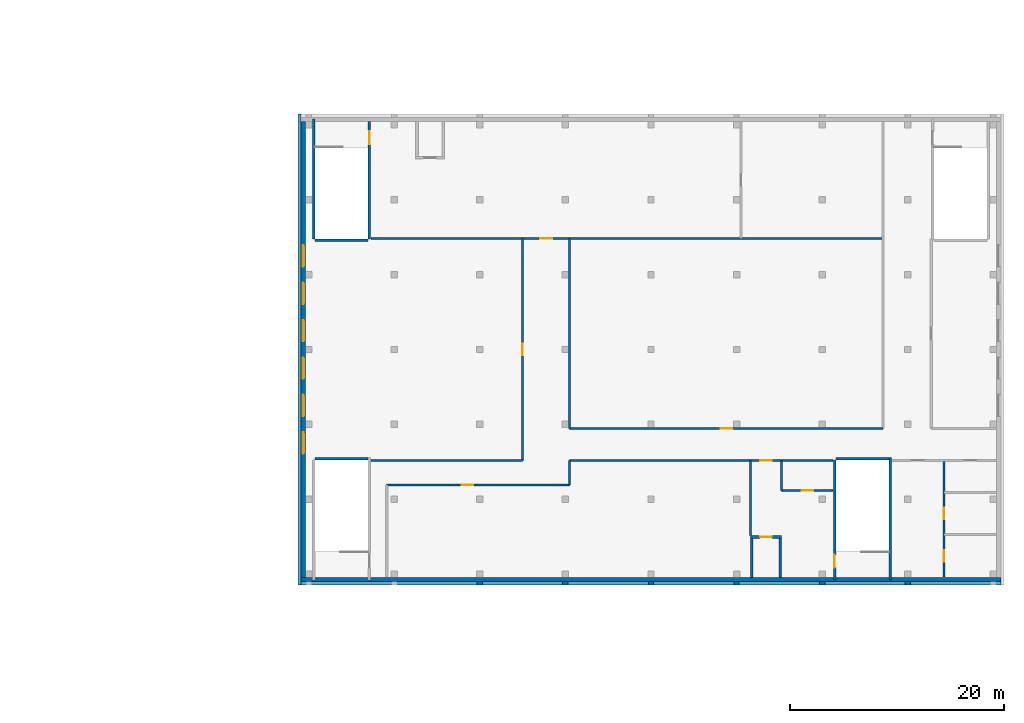
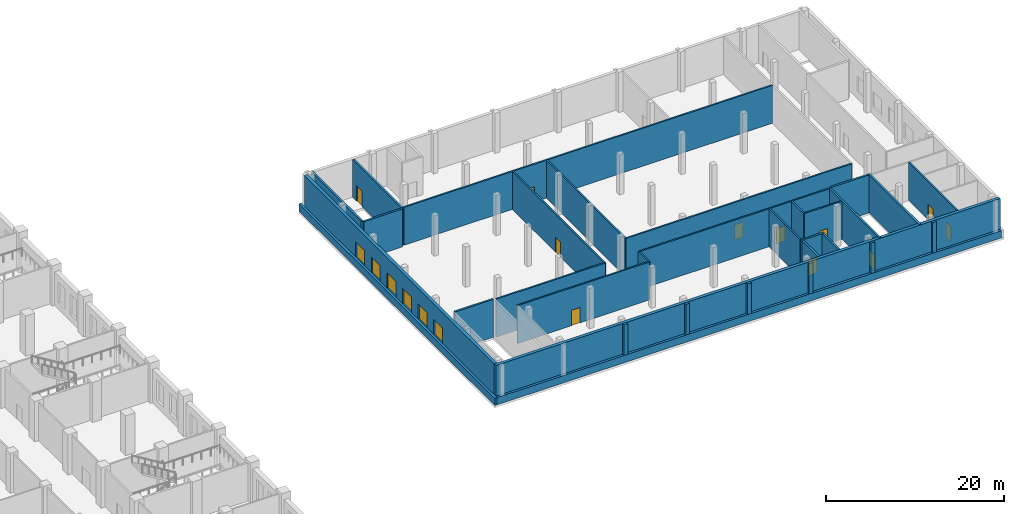
# One storey, part 11 of 25: 32 walls, 11 doors, 6 windows, 17 openings.
"""IFC4 building model written with IfcOpenShell, lengths in metres."""

from ifc_helpers import new_model, si_unit, direction, frame, frame_2d, origin, place, context, subcontext, project, spatial, rectangle, extrude, material, layer, layer_set, type_object, element, fill, save


model = new_model("IFC4")

# Units and contexts
model_context = context("Model", 3, precision=1e-05, world=origin(), true_north=direction((0.0, 1.0)))
body_context = subcontext(model_context, "Body", "Model", "MODEL_VIEW")
ifc_project = project(units=[si_unit("LENGTHUNIT", "METRE"), si_unit("AREAUNIT", "SQUARE_METRE"), si_unit("VOLUMEUNIT", "CUBIC_METRE"), si_unit("PLANEANGLEUNIT", "RADIAN"), si_unit("MASSUNIT", "GRAM", prefix="KILO")], contexts=[model_context])

# Site, building, storey
site_placement = place(None, origin())
site = spatial("IfcSite", under=ifc_project, at=site_placement, CompositionType="ELEMENT")
building_placement = place(site_placement, origin())
building = spatial("IfcBuilding", under=site, at=building_placement, Name="Tamorin Gate", CompositionType="ELEMENT")
storey_placement = place(building_placement, frame((0.0, 0.0, 23.5)))
storey = spatial("IfcBuildingStorey", under=building, at=storey_placement, Name="L04", CompositionType="ELEMENT", Elevation=23.5)

# Wall, opening, door
ifc_material_1 = material(Name="Dense blockwork, plastered", Category="masonry")
ifc_layer_1 = layer(ifc_material_1, 0.199951171875)
ifc_layer_set_1 = layer_set([ifc_layer_1], Name="Blockwork partition 200")
wall_type_1 = type_object("IfcWallType", Name="Blockwork partition 200", PredefinedType="PARTITIONING", material=ifc_layer_set_1)
wall_1_placement = place(storey_placement, frame((153.0, 64.030029296875, 0.0), z_axis=(0.0, 0.0, 1.0), x_axis=(1.0, 0.0, 0.0)))
wall_1 = element("IfcWall", 1, at=wall_1_placement, inside=storey, type_object=wall_type_1, Name="Partition", PredefinedType="PARTITIONING", context=body_context, shape_type="SweptSolid", body=[
    extrude(rectangle(XDim=17.10009765625, YDim=0.199951171875, at=frame_2d((8.550048828125, 0.0))), origin(), (0.0, 0.0, 1.0), 5.199951171875),
])
opening_1_placement = place(wall_1_placement, frame((7.0, 0.0, 0.0)))
opening_1 = element("IfcOpeningElement", 2, at=opening_1_placement, cuts=wall_1, Name="Opening DM94", PredefinedType="OPENING", context=body_context, shape_type="SweptSolid", body=[
    extrude(rectangle(XDim=1.10009765625, YDim=2.10009765625, at=frame_2d((0.550048828125, 1.050048828125))), frame((0.0, 0.10986328125, 0.0), z_axis=(0.0, -1.0, 0.0), x_axis=(1.0, 0.0, 0.0)), (0.0, 0.0, 1.0), 0.219970703125),
])
ifc_material_2 = material(Name="Steel, painted", Category="steel")
door_type_1 = type_object("IfcDoorType", Name="Museum door 1100x2100", OperationType="SINGLE_SWING_LEFT", PredefinedType="DOOR", material=ifc_material_2)
door_1_placement = place(opening_1_placement, origin())
door_1 = element("IfcDoor", 3, at=door_1_placement, inside=storey, type_object=door_type_1, Name="Door Archive vault 1", OperationType="SINGLE_SWING_RIGHT", OverallHeight=2.10009765625, OverallWidth=1.10009765625, PredefinedType="DOOR", context=body_context, shape_type="SweptSolid", body=[
    extrude(rectangle(XDim=1.10009765625, YDim=2.10009765625, at=frame_2d((0.550048828125, 1.050048828125))), frame((0.0, 0.02490234375, 0.0), z_axis=(0.0, -1.0, 0.0), x_axis=(1.0, 0.0, 0.0)), (0.0, 0.0, 1.0), 0.050048828125),
])
fill(opening_1, door_1)

# Wall
wall_2_placement = place(storey_placement, frame((151.530029296875, 66.330078125, 0.0), z_axis=(0.0, 0.0, 1.0), x_axis=(1.0, 0.0, 0.0)))
element("IfcWall", 4, at=wall_2_placement, inside=storey, type_object=wall_type_1, Name="Partition", PredefinedType="PARTITIONING", context=body_context, shape_type="SweptSolid", body=[
    extrude(rectangle(XDim=14.169921875, YDim=0.199951171875, at=frame_2d((7.0849609375, 0.0))), origin(), (0.0, 0.0, 1.0), 5.199951171875),
])

# Wall, opening, door
wall_3_placement = place(storey_placement, frame((170.10009765625, 66.330078125, 0.0), z_axis=(0.0, 0.0, 1.0), x_axis=(1.0, 0.0, 0.0)))
wall_3 = element("IfcWall", 5, at=wall_3_placement, inside=storey, type_object=wall_type_1, Name="Partition", PredefinedType="PARTITIONING", context=body_context, shape_type="SweptSolid", body=[
    extrude(rectangle(XDim=24.619873046875, YDim=0.199951171875, at=frame_2d((12.31005859375, 0.0))), origin(), (0.0, 0.0, 1.0), 5.199951171875),
])
opening_2_placement = place(wall_3_placement, frame((17.800048828125, 0.0, 0.0)))
opening_2 = element("IfcOpeningElement", 6, at=opening_2_placement, cuts=wall_3, Name="Opening DM96", PredefinedType="OPENING", context=body_context, shape_type="SweptSolid", body=[
    extrude(rectangle(XDim=1.10009765625, YDim=2.10009765625, at=frame_2d((0.550048828125, 1.050048828125))), frame((0.0, 0.10986328125, 0.0), z_axis=(0.0, -1.0, 0.0), x_axis=(1.0, 0.0, 0.0)), (0.0, 0.0, 1.0), 0.219970703125),
])
door_2_placement = place(opening_2_placement, origin())
door_2 = element("IfcDoor", 7, at=door_2_placement, inside=storey, type_object=door_type_1, Name="Door Goods lobby", OperationType="SINGLE_SWING_RIGHT", OverallHeight=2.10009765625, OverallWidth=1.10009765625, PredefinedType="DOOR", context=body_context, shape_type="SweptSolid", body=[
    extrude(rectangle(XDim=1.10009765625, YDim=2.10009765625, at=frame_2d((0.550048828125, 1.050048828125))), frame((0.0, 0.02490234375, 0.0), z_axis=(0.0, -1.0, 0.0), x_axis=(1.0, 0.0, 0.0)), (0.0, 0.0, 1.0), 0.050048828125),
])
fill(opening_2, door_2)

wall_4_placement = place(storey_placement, frame((189.89990234375, 63.530029296875, 0.0), z_axis=(0.0, 0.0, 1.0), x_axis=(1.0, 0.0, 0.0)))
wall_4 = element("IfcWall", 8, at=wall_4_placement, inside=storey, type_object=wall_type_1, Name="Partition", PredefinedType="PARTITIONING", context=body_context, shape_type="SweptSolid", body=[
    extrude(rectangle(XDim=4.820068359375, YDim=0.199951171875, at=frame_2d((2.41015625, 0.0))), origin(), (0.0, 0.0, 1.0), 5.199951171875),
])
opening_3_placement = place(wall_4_placement, frame((1.875, 0.0, 0.0)))
opening_3 = element("IfcOpeningElement", 9, at=opening_3_placement, cuts=wall_4, Name="Opening DM95", PredefinedType="OPENING", context=body_context, shape_type="SweptSolid", body=[
    extrude(rectangle(XDim=1.10009765625, YDim=2.10009765625, at=frame_2d((0.550048828125, 1.050048828125))), frame((0.0, 0.10986328125, 0.0), z_axis=(0.0, -1.0, 0.0), x_axis=(1.0, 0.0, 0.0)), (0.0, 0.0, 1.0), 0.219970703125),
])
door_3_placement = place(opening_3_placement, origin())
door_3 = element("IfcDoor", 10, at=door_3_placement, inside=storey, type_object=door_type_1, Name="Door Cleaner's store", OperationType="SINGLE_SWING_LEFT", OverallHeight=2.10009765625, OverallWidth=1.10009765625, PredefinedType="DOOR", context=body_context, shape_type="SweptSolid", body=[
    extrude(rectangle(XDim=1.10009765625, YDim=2.10009765625, at=frame_2d((0.550048828125, 1.050048828125))), frame((0.0, 0.02490234375, 0.0), z_axis=(0.0, -1.0, 0.0), x_axis=(1.0, 0.0, 0.0)), (0.0, 0.0, 1.0), 0.050048828125),
])
fill(opening_3, door_3)

wall_5_placement = place(storey_placement, frame((151.530029296875, 87.070068359375, 0.0), z_axis=(0.0, 0.0, 1.0), x_axis=(1.0, 0.0, 0.0)))
wall_5 = element("IfcWall", 11, at=wall_5_placement, inside=storey, type_object=wall_type_1, Name="Partition", PredefinedType="PARTITIONING", context=body_context, shape_type="SweptSolid", body=[
    extrude(rectangle(XDim=47.869873046875, YDim=0.199951171875, at=frame_2d((23.93505859375, 0.0))), origin(), (0.0, 0.0, 1.0), 5.199951171875),
])
opening_4_placement = place(wall_5_placement, frame((15.820068359375, 0.0, 0.0)))
opening_4 = element("IfcOpeningElement", 12, at=opening_4_placement, cuts=wall_5, Name="Opening DM104", PredefinedType="OPENING", context=body_context, shape_type="SweptSolid", body=[
    extrude(rectangle(XDim=1.10009765625, YDim=2.10009765625, at=frame_2d((0.550048828125, 1.050048828125))), frame((0.0, 0.10986328125, 0.0), z_axis=(0.0, -1.0, 0.0), x_axis=(1.0, 0.0, 0.0)), (0.0, 0.0, 1.0), 0.219970703125),
])
door_4_placement = place(opening_4_placement, origin())
door_4 = element("IfcDoor", 13, at=door_4_placement, inside=storey, type_object=door_type_1, Name="Door Archive vault 2", OperationType="SINGLE_SWING_RIGHT", OverallHeight=2.10009765625, OverallWidth=1.10009765625, PredefinedType="DOOR", context=body_context, shape_type="SweptSolid", body=[
    extrude(rectangle(XDim=1.10009765625, YDim=2.10009765625, at=frame_2d((0.550048828125, 1.050048828125))), frame((0.0, 0.02490234375, 0.0), z_axis=(0.0, -1.0, 0.0), x_axis=(1.0, 0.0, 0.0)), (0.0, 0.0, 1.0), 0.050048828125),
])
fill(opening_4, door_4)

wall_6_placement = place(storey_placement, frame((170.10009765625, 69.330078125, 0.0), z_axis=(0.0, 0.0, 1.0), x_axis=(1.0, 0.0, 0.0)))
wall_6 = element("IfcWall", 14, at=wall_6_placement, inside=storey, type_object=wall_type_1, Name="Partition", PredefinedType="PARTITIONING", context=body_context, shape_type="SweptSolid", body=[
    extrude(rectangle(XDim=29.2998046875, YDim=0.199951171875, at=frame_2d((14.64990234375, 0.0))), origin(), (0.0, 0.0, 1.0), 5.199951171875),
])
opening_5_placement = place(wall_6_placement, frame((14.10009765625, 0.0, 0.0)))
opening_5 = element("IfcOpeningElement", 15, at=opening_5_placement, cuts=wall_6, Name="Opening DM102", PredefinedType="OPENING", context=body_context, shape_type="SweptSolid", body=[
    extrude(rectangle(XDim=1.10009765625, YDim=2.10009765625, at=frame_2d((0.550048828125, 1.050048828125))), frame((0.0, 0.10986328125, 0.0), z_axis=(0.0, -1.0, 0.0), x_axis=(1.0, 0.0, 0.0)), (0.0, 0.0, 1.0), 0.219970703125),
])
door_5_placement = place(opening_5_placement, origin())
door_5 = element("IfcDoor", 16, at=door_5_placement, inside=storey, type_object=door_type_1, Name="Door Curators' offices", OperationType="SINGLE_SWING_RIGHT", OverallHeight=2.10009765625, OverallWidth=1.10009765625, PredefinedType="DOOR", context=body_context, shape_type="SweptSolid", body=[
    extrude(rectangle(XDim=1.10009765625, YDim=2.10009765625, at=frame_2d((0.550048828125, 1.050048828125))), frame((0.0, 0.02490234375, 0.0), z_axis=(0.0, -1.0, 0.0), x_axis=(1.0, 0.0, 0.0)), (0.0, 0.0, 1.0), 0.050048828125),
])
fill(opening_5, door_5)

# Walls
wall_7_placement = place(storey_placement, frame((187.0, 59.330078125, 0.0), z_axis=(0.0, 0.0, 1.0), x_axis=(0.0, 1.0, 0.0)))
element("IfcWall", 17, at=wall_7_placement, inside=storey, type_object=wall_type_1, Name="Partition", PredefinedType="PARTITIONING", context=body_context, shape_type="SweptSolid", body=[
    extrude(rectangle(XDim=7.0, YDim=0.199951171875, at=frame_2d((3.5, 0.0))), origin(), (0.0, 0.0, 1.0), 5.199951171875),
])
wall_8_placement = place(storey_placement, frame((170.10009765625, 64.030029296875, 0.0), z_axis=(0.0, 0.0, 1.0), x_axis=(0.0, 1.0, 0.0)))
element("IfcWall", 18, at=wall_8_placement, inside=storey, type_object=wall_type_1, Name="Partition", PredefinedType="PARTITIONING", context=body_context, shape_type="SweptSolid", body=[
    extrude(rectangle(XDim=2.300048828125, YDim=0.199951171875, at=frame_2d((1.14990234375, 0.0))), origin(), (0.0, 0.0, 1.0), 5.199951171875),
])
wall_9_placement = place(storey_placement, frame((170.10009765625, 69.330078125, 0.0), z_axis=(0.0, 0.0, 1.0), x_axis=(0.0, 1.0, 0.0)))
element("IfcWall", 19, at=wall_9_placement, inside=storey, type_object=wall_type_1, Name="Partition", PredefinedType="PARTITIONING", context=body_context, shape_type="SweptSolid", body=[
    extrude(rectangle(XDim=17.739990234375, YDim=0.199951171875, at=frame_2d((8.8701171875, 0.0))), origin(), (0.0, 0.0, 1.0), 5.199951171875),
])
wall_10_placement = place(storey_placement, frame((189.89990234375, 63.530029296875, 0.0), z_axis=(0.0, 0.0, 1.0), x_axis=(0.0, 1.0, 0.0)))
element("IfcWall", 20, at=wall_10_placement, inside=storey, type_object=wall_type_1, Name="Partition", PredefinedType="PARTITIONING", context=body_context, shape_type="SweptSolid", body=[
    extrude(rectangle(XDim=2.800048828125, YDim=0.199951171875, at=frame_2d((1.39990234375, 0.0))), origin(), (0.0, 0.0, 1.0), 5.199951171875),
])

# Wall, openings, doors
wall_11_placement = place(storey_placement, frame((205.10009765625, 55.449951171875, 0.0), z_axis=(0.0, 0.0, 1.0), x_axis=(0.0, 1.0, 0.0)))
wall_11 = element("IfcWall", 21, at=wall_11_placement, inside=storey, type_object=wall_type_1, Name="Partition", PredefinedType="PARTITIONING", context=body_context, shape_type="SweptSolid", body=[
    extrude(rectangle(XDim=10.880126953125, YDim=0.199951171875, at=frame_2d((5.43994140625, 0.0))), origin(), (0.0, 0.0, 1.0), 5.199951171875),
])
opening_6_placement = place(wall_11_placement, frame((1.39990234375, 0.0, 0.0)))
opening_6 = element("IfcOpeningElement", 22, at=opening_6_placement, cuts=wall_11, Name="Opening DM99", PredefinedType="OPENING", context=body_context, shape_type="SweptSolid", body=[
    extrude(rectangle(XDim=1.10009765625, YDim=2.10009765625, at=frame_2d((0.550048828125, 1.050048828125))), frame((0.0, 0.10986328125, 0.0), z_axis=(0.0, -1.0, 0.0), x_axis=(1.0, 0.0, 0.0)), (0.0, 0.0, 1.0), 0.219970703125),
])
opening_7_placement = place(wall_11_placement, frame((5.364990234375, 0.0, 0.0)))
opening_7 = element("IfcOpeningElement", 23, at=opening_7_placement, cuts=wall_11, Name="Opening DM100", PredefinedType="OPENING", context=body_context, shape_type="SweptSolid", body=[
    extrude(rectangle(XDim=1.10009765625, YDim=2.10009765625, at=frame_2d((0.550048828125, 1.050048828125))), frame((0.0, 0.10986328125, 0.0), z_axis=(0.0, -1.0, 0.0), x_axis=(1.0, 0.0, 0.0)), (0.0, 0.0, 1.0), 0.219970703125),
])
door_6_placement = place(opening_6_placement, origin())
door_6 = element("IfcDoor", 24, at=door_6_placement, inside=storey, type_object=door_type_1, Name="Door Family changing room", OperationType="SINGLE_SWING_LEFT", OverallHeight=2.10009765625, OverallWidth=1.10009765625, PredefinedType="DOOR", context=body_context, shape_type="SweptSolid", body=[
    extrude(rectangle(XDim=1.10009765625, YDim=2.10009765625, at=frame_2d((0.550048828125, 1.050048828125))), frame((0.0, 0.02490234375, 0.0), z_axis=(0.0, -1.0, 0.0), x_axis=(1.0, 0.0, 0.0)), (0.0, 0.0, 1.0), 0.050048828125),
])
fill(opening_6, door_6)
door_7_placement = place(opening_7_placement, origin())
door_7 = element("IfcDoor", 25, at=door_7_placement, inside=storey, type_object=door_type_1, Name="Door Baby care room", OperationType="SINGLE_SWING_RIGHT", OverallHeight=2.10009765625, OverallWidth=1.10009765625, PredefinedType="DOOR", context=body_context, shape_type="SweptSolid", body=[
    extrude(rectangle(XDim=1.10009765625, YDim=2.10009765625, at=frame_2d((0.550048828125, 1.050048828125))), frame((0.0, 0.02490234375, 0.0), z_axis=(0.0, -1.0, 0.0), x_axis=(1.0, 0.0, 0.0)), (0.0, 0.0, 1.0), 0.050048828125),
])
fill(opening_7, door_7)

# Wall, opening, door
wall_12_placement = place(storey_placement, frame((165.699951171875, 66.330078125, 0.0), z_axis=(0.0, 0.0, 1.0), x_axis=(0.0, 1.0, 0.0)))
wall_12 = element("IfcWall", 26, at=wall_12_placement, inside=storey, type_object=wall_type_1, Name="Partition", PredefinedType="PARTITIONING", context=body_context, shape_type="SweptSolid", body=[
    extrude(rectangle(XDim=20.739990234375, YDim=0.199951171875, at=frame_2d((10.3701171875, 0.0))), origin(), (0.0, 0.0, 1.0), 5.199951171875),
])
opening_8_placement = place(wall_12_placement, frame((9.820068359375, 0.0, 0.0)))
opening_8 = element("IfcOpeningElement", 27, at=opening_8_placement, cuts=wall_12, Name="Opening DM101", PredefinedType="OPENING", context=body_context, shape_type="SweptSolid", body=[
    extrude(rectangle(XDim=1.10009765625, YDim=2.10009765625, at=frame_2d((0.550048828125, 1.050048828125))), frame((0.0, 0.10986328125, 0.0), z_axis=(0.0, -1.0, 0.0), x_axis=(1.0, 0.0, 0.0)), (0.0, 0.0, 1.0), 0.219970703125),
])
door_8_placement = place(opening_8_placement, origin())
door_8 = element("IfcDoor", 28, at=door_8_placement, inside=storey, type_object=door_type_1, Name="Door Conservation studio", OperationType="SINGLE_SWING_LEFT", OverallHeight=2.10009765625, OverallWidth=1.10009765625, PredefinedType="DOOR", context=body_context, shape_type="SweptSolid", body=[
    extrude(rectangle(XDim=1.10009765625, YDim=2.10009765625, at=frame_2d((0.550048828125, 1.050048828125))), frame((0.0, 0.02490234375, 0.0), z_axis=(0.0, -1.0, 0.0), x_axis=(1.0, 0.0, 0.0)), (0.0, 0.0, 1.0), 0.050048828125),
])
fill(opening_8, door_8)

# Wall
ifc_material_3 = material(Name="Concrete C40/50", Category="concrete")
ifc_layer_2 = layer(ifc_material_3, 0.39990234375)
ifc_layer_set_2 = layer_set([ifc_layer_2], Name="Board-marked concrete facade wall 400 C40/50")
wall_type_2 = type_object("IfcWallType", Name="Board-marked concrete facade wall 400 C40/50", PredefinedType="SOLIDWALL", material=ifc_layer_set_2)
wall_13_placement = place(storey_placement, frame((145.0, 55.199951171875, 0.0), z_axis=(0.0, 0.0, 1.0), x_axis=(1.0, 0.0, 0.0)))
element("IfcWall", 29, at=wall_13_placement, inside=storey, type_object=wall_type_2, Name="Facade wall", PredefinedType="SOLIDWALL", context=body_context, shape_type="SweptSolid", body=[
    extrude(rectangle(XDim=65.39990234375, YDim=0.39990234375, at=frame_2d((32.699951171875, 0.0))), origin(), (0.0, 0.0, 1.0), 5.199951171875),
])

# Wall, openings, windows
wall_14_placement = place(storey_placement, frame((145.199951171875, 55.39990234375, 0.0), z_axis=(0.0, 0.0, 1.0), x_axis=(0.0, 1.0, 0.0)))
wall_14 = element("IfcWall", 30, at=wall_14_placement, inside=storey, type_object=wall_type_2, Name="Facade wall", PredefinedType="SOLIDWALL", context=body_context, shape_type="SweptSolid", body=[
    extrude(rectangle(XDim=42.60009765625, YDim=0.39990234375, at=frame_2d((21.300048828125, 0.0))), origin(), (0.0, 0.0, 1.0), 5.199951171875),
])
opening_9_placement = place(wall_14_placement, frame((11.550048828125, 0.0, 1.0)))
opening_9 = element("IfcOpeningElement", 31, at=opening_9_placement, cuts=wall_14, Name="Opening WNM1", PredefinedType="OPENING", context=body_context, shape_type="SweptSolid", body=[
    extrude(rectangle(XDim=2.0, YDim=2.10009765625, at=frame_2d((1.0, 1.050048828125))), frame((0.0, 0.2099609375, 0.0), z_axis=(0.0, -1.0, 0.0), x_axis=(1.0, 0.0, 0.0)), (0.0, 0.0, 1.0), 0.419921875),
])
opening_10_placement = place(wall_14_placement, frame((15.050048828125, 0.0, 1.0)))
opening_10 = element("IfcOpeningElement", 32, at=opening_10_placement, cuts=wall_14, Name="Opening WNM1", PredefinedType="OPENING", context=body_context, shape_type="SweptSolid", body=[
    extrude(rectangle(XDim=2.0, YDim=2.10009765625, at=frame_2d((1.0, 1.050048828125))), frame((0.0, 0.2099609375, 0.0), z_axis=(0.0, -1.0, 0.0), x_axis=(1.0, 0.0, 0.0)), (0.0, 0.0, 1.0), 0.419921875),
])
opening_11_placement = place(wall_14_placement, frame((18.550048828125, 0.0, 1.0)))
opening_11 = element("IfcOpeningElement", 33, at=opening_11_placement, cuts=wall_14, Name="Opening WNM1", PredefinedType="OPENING", context=body_context, shape_type="SweptSolid", body=[
    extrude(rectangle(XDim=2.0, YDim=2.10009765625, at=frame_2d((1.0, 1.050048828125))), frame((0.0, 0.2099609375, 0.0), z_axis=(0.0, -1.0, 0.0), x_axis=(1.0, 0.0, 0.0)), (0.0, 0.0, 1.0), 0.419921875),
])
opening_12_placement = place(wall_14_placement, frame((22.050048828125, 0.0, 1.0)))
opening_12 = element("IfcOpeningElement", 34, at=opening_12_placement, cuts=wall_14, Name="Opening WNM1", PredefinedType="OPENING", context=body_context, shape_type="SweptSolid", body=[
    extrude(rectangle(XDim=2.0, YDim=2.10009765625, at=frame_2d((1.0, 1.050048828125))), frame((0.0, 0.2099609375, 0.0), z_axis=(0.0, -1.0, 0.0), x_axis=(1.0, 0.0, 0.0)), (0.0, 0.0, 1.0), 0.419921875),
])
opening_13_placement = place(wall_14_placement, frame((25.550048828125, 0.0, 1.0)))
opening_13 = element("IfcOpeningElement", 35, at=opening_13_placement, cuts=wall_14, Name="Opening WNM1", PredefinedType="OPENING", context=body_context, shape_type="SweptSolid", body=[
    extrude(rectangle(XDim=2.0, YDim=2.10009765625, at=frame_2d((1.0, 1.050048828125))), frame((0.0, 0.2099609375, 0.0), z_axis=(0.0, -1.0, 0.0), x_axis=(1.0, 0.0, 0.0)), (0.0, 0.0, 1.0), 0.419921875),
])
opening_14_placement = place(wall_14_placement, frame((29.050048828125, 0.0, 1.0)))
opening_14 = element("IfcOpeningElement", 36, at=opening_14_placement, cuts=wall_14, Name="Opening WNM1", PredefinedType="OPENING", context=body_context, shape_type="SweptSolid", body=[
    extrude(rectangle(XDim=2.0, YDim=2.10009765625, at=frame_2d((1.0, 1.050048828125))), frame((0.0, 0.2099609375, 0.0), z_axis=(0.0, -1.0, 0.0), x_axis=(1.0, 0.0, 0.0)), (0.0, 0.0, 1.0), 0.419921875),
])
ifc_material_4 = material(Name="Aluminium and glass", Category="aluminium")
window_type = type_object("IfcWindowType", Name="Deep-set window 2400x1500", PartitioningType="SINGLE_PANEL", PredefinedType="WINDOW", material=ifc_material_4)
window_1_placement = place(opening_9_placement, origin())
window_1 = element("IfcWindow", 37, at=window_1_placement, inside=storey, type_object=window_type, Name="Deep-set window", OverallHeight=2.10009765625, OverallWidth=2.0, PartitioningType="SINGLE_PANEL", PredefinedType="WINDOW", context=body_context, shape_type="SweptSolid", body=[
    extrude(rectangle(XDim=2.0, YDim=2.10009765625, at=frame_2d((1.0, 1.050048828125))), frame((0.0, 0.030029296875, 0.0), z_axis=(0.0, -1.0, 0.0), x_axis=(1.0, 0.0, 0.0)), (0.0, 0.0, 1.0), 0.06005859375),
])
fill(opening_9, window_1)
window_2_placement = place(opening_10_placement, origin())
window_2 = element("IfcWindow", 38, at=window_2_placement, inside=storey, type_object=window_type, Name="Deep-set window", OverallHeight=2.10009765625, OverallWidth=2.0, PartitioningType="SINGLE_PANEL", PredefinedType="WINDOW", context=body_context, shape_type="SweptSolid", body=[
    extrude(rectangle(XDim=2.0, YDim=2.10009765625, at=frame_2d((1.0, 1.050048828125))), frame((0.0, 0.030029296875, 0.0), z_axis=(0.0, -1.0, 0.0), x_axis=(1.0, 0.0, 0.0)), (0.0, 0.0, 1.0), 0.06005859375),
])
fill(opening_10, window_2)
window_3_placement = place(opening_11_placement, origin())
window_3 = element("IfcWindow", 39, at=window_3_placement, inside=storey, type_object=window_type, Name="Deep-set window", OverallHeight=2.10009765625, OverallWidth=2.0, PartitioningType="SINGLE_PANEL", PredefinedType="WINDOW", context=body_context, shape_type="SweptSolid", body=[
    extrude(rectangle(XDim=2.0, YDim=2.10009765625, at=frame_2d((1.0, 1.050048828125))), frame((0.0, 0.030029296875, 0.0), z_axis=(0.0, -1.0, 0.0), x_axis=(1.0, 0.0, 0.0)), (0.0, 0.0, 1.0), 0.06005859375),
])
fill(opening_11, window_3)
window_4_placement = place(opening_12_placement, origin())
window_4 = element("IfcWindow", 40, at=window_4_placement, inside=storey, type_object=window_type, Name="Deep-set window", OverallHeight=2.10009765625, OverallWidth=2.0, PartitioningType="SINGLE_PANEL", PredefinedType="WINDOW", context=body_context, shape_type="SweptSolid", body=[
    extrude(rectangle(XDim=2.0, YDim=2.10009765625, at=frame_2d((1.0, 1.050048828125))), frame((0.0, 0.030029296875, 0.0), z_axis=(0.0, -1.0, 0.0), x_axis=(1.0, 0.0, 0.0)), (0.0, 0.0, 1.0), 0.06005859375),
])
fill(opening_12, window_4)
window_5_placement = place(opening_13_placement, origin())
window_5 = element("IfcWindow", 41, at=window_5_placement, inside=storey, type_object=window_type, Name="Deep-set window", OverallHeight=2.10009765625, OverallWidth=2.0, PartitioningType="SINGLE_PANEL", PredefinedType="WINDOW", context=body_context, shape_type="SweptSolid", body=[
    extrude(rectangle(XDim=2.0, YDim=2.10009765625, at=frame_2d((1.0, 1.050048828125))), frame((0.0, 0.030029296875, 0.0), z_axis=(0.0, -1.0, 0.0), x_axis=(1.0, 0.0, 0.0)), (0.0, 0.0, 1.0), 0.06005859375),
])
fill(opening_13, window_5)
window_6_placement = place(opening_14_placement, origin())
window_6 = element("IfcWindow", 42, at=window_6_placement, inside=storey, type_object=window_type, Name="Deep-set window", OverallHeight=2.10009765625, OverallWidth=2.0, PartitioningType="SINGLE_PANEL", PredefinedType="WINDOW", context=body_context, shape_type="SweptSolid", body=[
    extrude(rectangle(XDim=2.0, YDim=2.10009765625, at=frame_2d((1.0, 1.050048828125))), frame((0.0, 0.030029296875, 0.0), z_axis=(0.0, -1.0, 0.0), x_axis=(1.0, 0.0, 0.0)), (0.0, 0.0, 1.0), 0.06005859375),
])
fill(opening_14, window_6)

# Wall
ifc_layer_3 = layer(ifc_material_3, 0.25)
ifc_layer_set_3 = layer_set([ifc_layer_3], Name="Museum stair and lift enclosure wall 250 C40/50")
wall_type_3 = type_object("IfcWallType", Name="Museum stair and lift enclosure wall 250 C40/50", PredefinedType="SHEAR", material=ifc_layer_set_3)
wall_15_placement = place(storey_placement, frame((146.175048828125, 87.0400390625, 0.0), z_axis=(0.0, 0.0, 1.0), x_axis=(0.0, 1.0, 0.0)))
element("IfcWall", 43, at=wall_15_placement, inside=storey, type_object=wall_type_3, Name="Stair PS6 wall", PredefinedType="SHEAR", context=body_context, shape_type="SweptSolid", body=[
    extrude(rectangle(XDim=11.2099609375, YDim=0.25, at=frame_2d((5.60498046875, 0.0))), origin(), (0.0, 0.0, 1.0), 5.199951171875),
])

# Wall, opening, door
wall_16_placement = place(storey_placement, frame((151.375, 87.0400390625, 0.0), z_axis=(0.0, 0.0, 1.0), x_axis=(0.0, 1.0, 0.0)))
wall_16 = element("IfcWall", 44, at=wall_16_placement, inside=storey, type_object=wall_type_3, Name="Stair PS6 wall", PredefinedType="SHEAR", context=body_context, shape_type="SweptSolid", body=[
    extrude(rectangle(XDim=10.9599609375, YDim=0.25, at=frame_2d((5.47998046875, 0.0))), origin(), (0.0, 0.0, 1.0), 5.199951171875),
])
opening_15_placement = place(wall_16_placement, frame((8.860107421875, 0.0, 0.0)))
opening_15 = element("IfcOpeningElement", 45, at=opening_15_placement, cuts=wall_16, Name="Opening DM6", PredefinedType="OPENING", context=body_context, shape_type="SweptSolid", body=[
    extrude(rectangle(XDim=1.199951171875, YDim=2.10009765625, at=frame_2d((0.60009765625, 1.050048828125))), frame((0.0, 0.135009765625, 0.0), z_axis=(0.0, -1.0, 0.0), x_axis=(1.0, 0.0, 0.0)), (0.0, 0.0, 1.0), 0.27001953125),
])
door_type_2 = type_object("IfcDoorType", Name="Museum stair door 1200x2100 FD90", OperationType="SINGLE_SWING_LEFT", PredefinedType="DOOR", material=ifc_material_2)
door_9_placement = place(opening_15_placement, origin())
door_9 = element("IfcDoor", 46, at=door_9_placement, inside=storey, type_object=door_type_2, Name="Stair door", OperationType="SINGLE_SWING_RIGHT", OverallHeight=2.10009765625, OverallWidth=1.199951171875, PredefinedType="DOOR", context=body_context, shape_type="SweptSolid", body=[
    extrude(rectangle(XDim=1.199951171875, YDim=2.10009765625, at=frame_2d((0.60009765625, 1.050048828125))), frame((0.0, 0.02490234375, 0.0), z_axis=(0.0, -1.0, 0.0), x_axis=(1.0, 0.0, 0.0)), (0.0, 0.0, 1.0), 0.050048828125),
])
fill(opening_15, door_9)

# Wall
wall_17_placement = place(storey_placement, frame((146.300048828125, 86.9150390625, 0.0), z_axis=(0.0, 0.0, 1.0), x_axis=(1.0, 0.0, 0.0)))
element("IfcWall", 47, at=wall_17_placement, inside=storey, type_object=wall_type_3, Name="Stair PS6 wall", PredefinedType="SHEAR", context=body_context, shape_type="SweptSolid", body=[
    extrude(rectangle(XDim=4.949951171875, YDim=0.25, at=frame_2d((2.47509765625, 0.0))), origin(), (0.0, 0.0, 1.0), 5.199951171875),
])

# Wall, opening, door
wall_18_placement = place(storey_placement, frame((194.875, 55.14990234375, 0.0), z_axis=(0.0, 0.0, 1.0), x_axis=(0.0, 1.0, 0.0)))
wall_18 = element("IfcWall", 48, at=wall_18_placement, inside=storey, type_object=wall_type_3, Name="Stair PS7 wall", PredefinedType="SHEAR", context=body_context, shape_type="SweptSolid", body=[
    extrude(rectangle(XDim=11.210205078125, YDim=0.25, at=frame_2d((5.60498046875, 0.0))), origin(), (0.0, 0.0, 1.0), 5.199951171875),
])
opening_16_placement = place(wall_18_placement, frame((1.14990234375, 0.0, 0.0)))
opening_16 = element("IfcOpeningElement", 49, at=opening_16_placement, cuts=wall_18, Name="Opening DM12", PredefinedType="OPENING", context=body_context, shape_type="SweptSolid", body=[
    extrude(rectangle(XDim=1.199951171875, YDim=2.10009765625, at=frame_2d((0.60009765625, 1.050048828125))), frame((0.0, 0.135009765625, 0.0), z_axis=(0.0, -1.0, 0.0), x_axis=(1.0, 0.0, 0.0)), (0.0, 0.0, 1.0), 0.27001953125),
])
door_10_placement = place(opening_16_placement, origin())
door_10 = element("IfcDoor", 50, at=door_10_placement, inside=storey, type_object=door_type_2, Name="Stair door", OperationType="SINGLE_SWING_RIGHT", OverallHeight=2.10009765625, OverallWidth=1.199951171875, PredefinedType="DOOR", context=body_context, shape_type="SweptSolid", body=[
    extrude(rectangle(XDim=1.199951171875, YDim=2.10009765625, at=frame_2d((0.60009765625, 1.050048828125))), frame((0.0, 0.02490234375, 0.0), z_axis=(0.0, -1.0, 0.0), x_axis=(1.0, 0.0, 0.0)), (0.0, 0.0, 1.0), 0.050048828125),
])
fill(opening_16, door_10)

# Walls
wall_19_placement = place(storey_placement, frame((200.074951171875, 55.14990234375, 0.0), z_axis=(0.0, 0.0, 1.0), x_axis=(0.0, 1.0, 0.0)))
element("IfcWall", 51, at=wall_19_placement, inside=storey, type_object=wall_type_3, Name="Stair PS7 wall", PredefinedType="SHEAR", context=body_context, shape_type="SweptSolid", body=[
    extrude(rectangle(XDim=11.460205078125, YDim=0.25, at=frame_2d((5.72998046875, 0.0))), origin(), (0.0, 0.0, 1.0), 5.199951171875),
])
for number, where, z_axis, x_axis, name in (
    (52, (195.0, 66.485107421875, 0.0), (0.0, 0.0, 1.0), (1.0, 0.0, 0.0), "Stair PS7 wall"),
    (53, (146.300048828125, 66.485107421875, 0.0), (0.0, 0.0, 1.0), (1.0, 0.0, 0.0), "Stair PS8 wall"),
):
    element("IfcWall", number, at=place(storey_placement, frame(where, z_axis=z_axis, x_axis=x_axis)), inside=storey, type_object=wall_type_3, Name=name, PredefinedType="SHEAR", context=body_context, shape_type="SweptSolid", body=[
        extrude(rectangle(XDim=4.949951171875, YDim=0.25, at=frame_2d((2.47509765625, 0.0))), origin(), (0.0, 0.0, 1.0), 5.199951171875),
    ])

# Wall, opening, door
wall_20_placement = place(storey_placement, frame((187.0, 59.175048828125, 0.0), z_axis=(0.0, 0.0, 1.0), x_axis=(1.0, 0.0, 0.0)))
wall_20 = element("IfcWall", 54, at=wall_20_placement, inside=storey, type_object=wall_type_3, Name="Lift shaft LM2", PredefinedType="SHEAR", context=body_context, shape_type="SweptSolid", body=[
    extrude(rectangle(XDim=2.89990234375, YDim=0.25, at=frame_2d((1.449951171875, 0.0))), origin(), (0.0, 0.0, 1.0), 5.199951171875),
])
opening_17_placement = place(wall_20_placement, frame((0.89990234375, 0.0, 0.0)))
opening_17 = element("IfcOpeningElement", 55, at=opening_17_placement, cuts=wall_20, Name="Opening LD24", PredefinedType="OPENING", context=body_context, shape_type="SweptSolid", body=[
    extrude(rectangle(XDim=1.10009765625, YDim=2.10009765625, at=frame_2d((0.550048828125, 1.050048828125))), frame((0.0, 0.135009765625, 0.0), z_axis=(0.0, -1.0, 0.0), x_axis=(1.0, 0.0, 0.0)), (0.0, 0.0, 1.0), 0.27001953125),
])
ifc_material_5 = material(Name="Stainless steel", Category="steel")
door_type_3 = type_object("IfcDoorType", Name="Museum lift landing door 1100x2100", OperationType="DOUBLE_DOOR_SLIDING", PredefinedType="DOOR", material=ifc_material_5)
door_11_placement = place(opening_17_placement, origin())
door_11 = element("IfcDoor", 56, at=door_11_placement, inside=storey, type_object=door_type_3, Name="Lift landing door", OperationType="DOUBLE_DOOR_SLIDING", OverallHeight=2.10009765625, OverallWidth=1.10009765625, PredefinedType="DOOR", context=body_context, shape_type="SweptSolid", body=[
    extrude(rectangle(XDim=1.10009765625, YDim=2.10009765625, at=frame_2d((0.550048828125, 1.050048828125))), frame((0.0, 0.02490234375, 0.0), z_axis=(0.0, -1.0, 0.0), x_axis=(1.0, 0.0, 0.0)), (0.0, 0.0, 1.0), 0.050048828125),
])
fill(opening_17, door_11)

# Walls
for number, where, z_axis, x_axis, name in (
    (57, (187.125, 55.39990234375, 0.0), (0.0, 0.0, 1.0), (0.0, 1.0, 0.0), "Lift shaft LM2"),
    (58, (189.77490234375, 55.39990234375, 0.0), (0.0, 0.0, 1.0), (0.0, 1.0, 0.0), "Lift shaft LM2"),
):
    element("IfcWall", number, at=place(storey_placement, frame(where, z_axis=z_axis, x_axis=x_axis)), inside=storey, type_object=wall_type_3, Name=name, PredefinedType="SHEAR", context=body_context, shape_type="SweptSolid", body=[
        extrude(rectangle(XDim=3.650146484375, YDim=0.25, at=frame_2d((1.8251953125, 0.0))), origin(), (0.0, 0.0, 1.0), 5.199951171875),
    ])
ifc_layer_4 = layer(ifc_material_3, 0.300048828125)
ifc_layer_set_4 = layer_set([ifc_layer_4], Name="Precast concrete band wall 300 C40/50")
wall_type_4 = type_object("IfcWallType", Name="Precast concrete band wall 300 C40/50", PredefinedType="STANDARD", material=ifc_layer_set_4)
wall_21_placement = place(storey_placement, frame((145.0, 54.85009765625, 0.0), z_axis=(0.0, 0.0, 1.0), x_axis=(1.0, 0.0, 0.0)))
element("IfcWall", 59, at=wall_21_placement, inside=storey, type_object=wall_type_4, Name="Precast band", PredefinedType="STANDARD", context=body_context, shape_type="SweptSolid", body=[
    extrude(rectangle(XDim=65.39990234375, YDim=0.300048828125, at=frame_2d((32.699951171875, 0.0))), origin(), (0.0, 0.0, 1.0), 1.0),
])
wall_22_placement = place(storey_placement, frame((144.85009765625, 54.699951171875, 0.0), z_axis=(0.0, 0.0, 1.0), x_axis=(0.0, 1.0, 0.0)))
element("IfcWall", 60, at=wall_22_placement, inside=storey, type_object=wall_type_4, Name="Precast band", PredefinedType="STANDARD", context=body_context, shape_type="SweptSolid", body=[
    extrude(rectangle(XDim=44.0, YDim=0.300048828125, at=frame_2d((22.0, 0.0))), origin(), (0.0, 0.0, 1.0), 1.0),
])
ifc_layer_5 = layer(ifc_material_3, 0.5)
ifc_layer_set_5 = layer_set([ifc_layer_5], Name="Precast rib wall 500 C40/50")
wall_type_5 = type_object("IfcWallType", Name="Precast rib wall 500 C40/50", PredefinedType="STANDARD", material=ifc_layer_set_5)
for number, where, z_axis, x_axis, name in (
    (61, (161.699951171875, 54.699951171875, 1.0), (0.0, 0.0, 1.0), (0.0, 1.0, 0.0), "Precast rib"),
    (62, (169.699951171875, 54.699951171875, 1.0), (0.0, 0.0, 1.0), (0.0, 1.0, 0.0), "Precast rib"),
    (63, (177.699951171875, 54.699951171875, 1.0), (0.0, 0.0, 1.0), (0.0, 1.0, 0.0), "Precast rib"),
    (64, (185.699951171875, 54.699951171875, 1.0), (0.0, 0.0, 1.0), (0.0, 1.0, 0.0), "Precast rib"),
    (65, (193.699951171875, 54.699951171875, 1.0), (0.0, 0.0, 1.0), (0.0, 1.0, 0.0), "Precast rib"),
    (66, (201.699951171875, 54.699951171875, 1.0), (0.0, 0.0, 1.0), (0.0, 1.0, 0.0), "Precast rib"),
):
    element("IfcWall", number, at=place(storey_placement, frame(where, z_axis=z_axis, x_axis=x_axis)), inside=storey, type_object=wall_type_5, Name=name, PredefinedType="STANDARD", context=body_context, shape_type="SweptSolid", body=[
        extrude(rectangle(XDim=0.300048828125, YDim=0.5, at=frame_2d((0.14990234375, 0.0))), origin(), (0.0, 0.0, 1.0), 4.199951171875),
    ])

save(model, "model.ifc")
